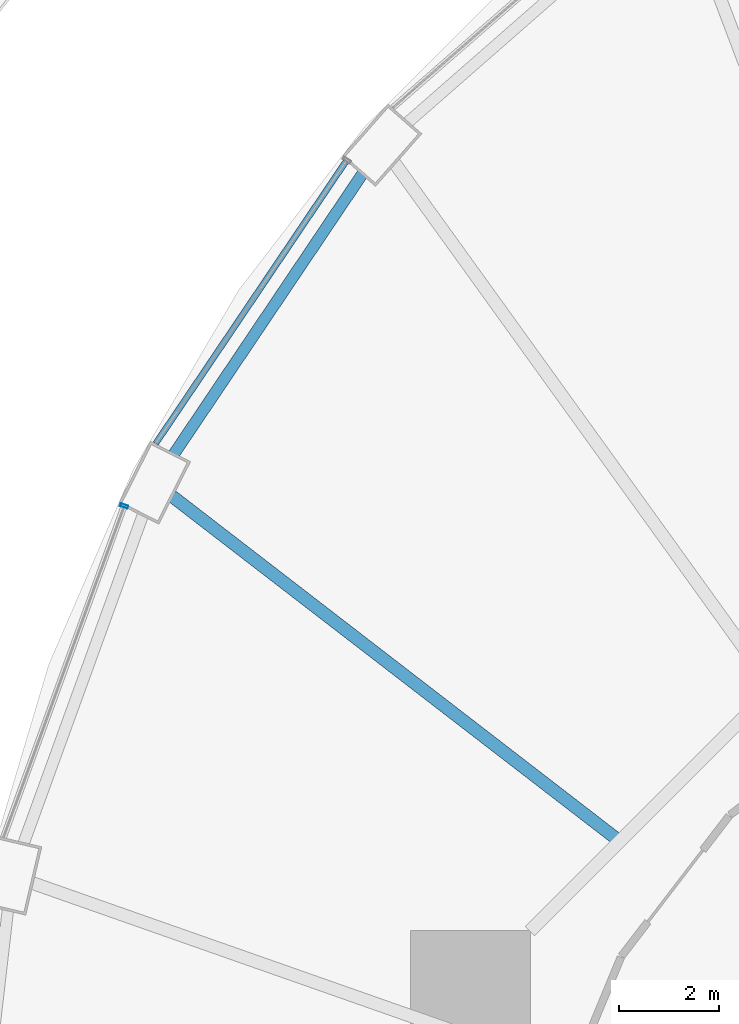
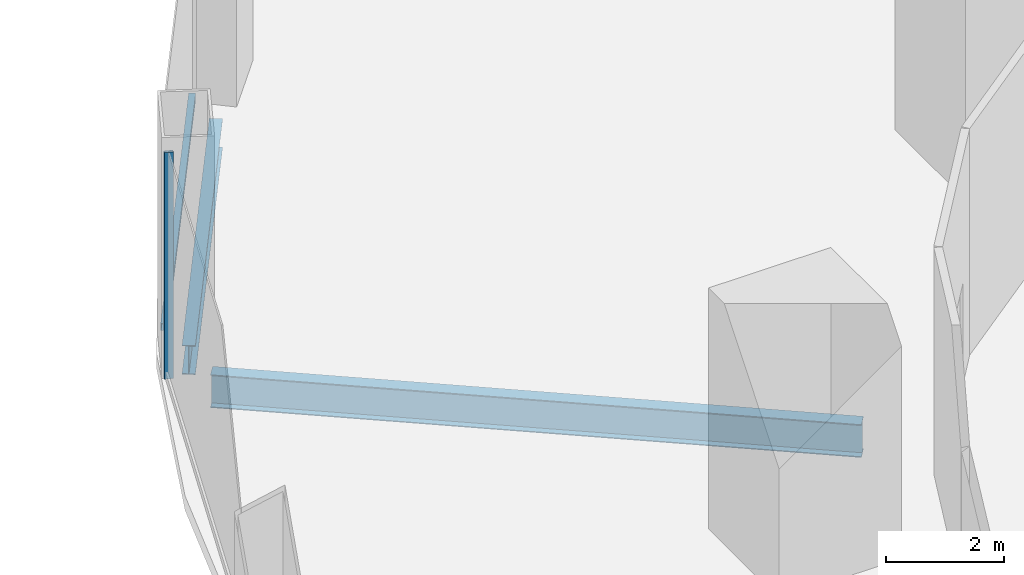
# One storey, part 21 of 47: 2 beams, 2 members, 2 elements without a shape of their own.
"""IFC4 building model written with IfcOpenShell, lengths in metres."""

from ifc_helpers import new_model, si_unit, direction, frame, origin, origin_2d, place, context, subcontext, project, spatial, hollow_rectangle, i_section, extrude, material, layer, layer_set, material_profile, profile_set, type_object, element, aggregate, save


model = new_model("IFC4")

# Units and contexts
model_context = context("Model", 3, precision=1e-05, world=origin(), true_north=direction((0.0, 1.0)))
body_context = subcontext(model_context, "Body", "Model", "MODEL_VIEW")
ifc_project = project(units=[si_unit("LENGTHUNIT", "METRE"), si_unit("AREAUNIT", "SQUARE_METRE"), si_unit("VOLUMEUNIT", "CUBIC_METRE"), si_unit("PLANEANGLEUNIT", "RADIAN"), si_unit("MASSUNIT", "GRAM", prefix="KILO")], contexts=[model_context])

# Site, building, storey
site_placement = place(None, origin())
site = spatial("IfcSite", under=ifc_project, at=site_placement, CompositionType="ELEMENT")
building_placement = place(site_placement, origin())
building = spatial("IfcBuilding", under=site, at=building_placement, Name="Nagisa Residences", CompositionType="ELEMENT")
storey_placement = place(building_placement, frame((0.0, 0.0, 7.0)))
storey = spatial("IfcBuildingStorey", under=building, at=storey_placement, Name="L01", CompositionType="ELEMENT", Elevation=7.0)

# Curtain wall, member
ifc_material_1 = material(Name="Stainless steel curtain wall system", Category="steel")
ifc_layer = layer(ifc_material_1, 0.159912109375)
ifc_layer_set = layer_set([ifc_layer], Name="CW6 CURTAIN WALL")
curtain_wall_type = type_object("IfcCurtainWallType", Name="CW6 CURTAIN WALL", PredefinedType="NOTDEFINED", material=ifc_layer_set)
curtain_wall_1_placement = place(storey_placement, origin())
curtain_wall_1 = element("IfcCurtainWall", 1, at=curtain_wall_1_placement, inside=storey, type_object=curtain_wall_type, Name="cw:CW6:L01:20", PredefinedType="NOTDEFINED")
ifc_material_2 = material(Name="Stainless steel", Category="steel")
ifc_material_profile_1 = material_profile(ifc_material_2, hollow_rectangle(XDim=0.159912109375, YDim=0.06005859375, WallThickness=0.006103515625, at=origin_2d()), Name="CW6 MULLION 160x60")
ifc_profile_set_1 = profile_set([ifc_material_profile_1], Name="Stainless steel")
member_type_1 = type_object("IfcMemberType", Name="CW6 MULLION 160x60", PredefinedType="MULLION", material=ifc_profile_set_1)
member_1_placement = place(storey_placement, frame((-21.689208984375, 15.78662109375, 0.0), z_axis=(0.0, 0.0, 1.0), x_axis=(0.939681861718, -0.342049702176, 0.0)))
member_1 = element("IfcMember", 2, at=member_1_placement, type_object=member_type_1, Name="CW6 mullion", PredefinedType="MULLION", context=body_context, shape_type="SweptSolid", body=[
    extrude(hollow_rectangle(XDim=0.159912109375, YDim=0.06005859375, WallThickness=0.006103515625, at=origin_2d()), origin(), (0.0, 0.0, 1.0), 4.699951171875),
])
aggregate(curtain_wall_1, [member_1])

curtain_wall_2_placement = place(storey_placement, origin())
curtain_wall_2 = element("IfcCurtainWall", 3, at=curtain_wall_2_placement, inside=storey, type_object=curtain_wall_type, Name="cw:CW6:L01:18", PredefinedType="NOTDEFINED")
ifc_material_3 = material(Name="Stainless steel", Category="steel")
ifc_material_profile_2 = material_profile(ifc_material_3, hollow_rectangle(XDim=0.1201171875, YDim=0.14990234375, WallThickness=0.008056640625, at=origin_2d()), Name="CW6 TRANSOM 120x150")
ifc_profile_set_2 = profile_set([ifc_material_profile_2], Name="Stainless steel")
member_type_2 = type_object("IfcMemberType", Name="CW6 TRANSOM 120x150", PredefinedType="USERDEFINED", material=ifc_profile_set_2)
member_2_placement = place(storey_placement, frame((-17.231201171875, 22.70947265625, 0.074951171875), z_axis=(-0.559080645991, -0.829113280124, 0.0), x_axis=(0.829113280124, -0.559080645991, 0.0)))
member_2 = element("IfcMember", 4, at=member_2_placement, type_object=member_type_2, Name="CW6 transom", ObjectType="TRANSOM", PredefinedType="USERDEFINED", context=body_context, shape_type="SweptSolid", body=[
    extrude(hollow_rectangle(XDim=0.1201171875, YDim=0.14990234375, WallThickness=0.008056640625, at=origin_2d()), origin(), (0.0, 0.0, 1.0), 6.84326171875),
])
aggregate(curtain_wall_2, [member_2])

# Beams
ifc_material_4 = material(Name="Steel ASTM A572 Gr 50", Category="steel")
ifc_material_profile_3 = material_profile(ifc_material_4, i_section(OverallWidth=0.22802734375, OverallDepth=0.60302734375, WebThickness=0.010498046875, FlangeThickness=0.014892578125, at=origin_2d()), Name="W610x101")
ifc_profile_set_3 = profile_set([ifc_material_profile_3], Name="Steel ASTM A572 Gr 50")
beam_type_1 = type_object("IfcBeamType", Name="Perimeter ring beam W610x101", PredefinedType="BEAM", material=ifc_profile_set_3)
beam_1_placement = place(storey_placement, frame((-16.935302734375, 22.411865234375, -0.6015625), z_axis=(-0.558296806041, -0.829641293792, 0.0), x_axis=(0.829641293792, -0.558296806041, 0.0)))
element("IfcBeam", 5, at=beam_1_placement, inside=storey, type_object=beam_type_1, Name="beam:L01:pb10", PredefinedType="BEAM", context=body_context, shape_type="SweptSolid", body=[
    extrude(i_section(OverallWidth=0.22802734375, OverallDepth=0.60302734375, WebThickness=0.010498046875, FlangeThickness=0.014892578125, at=origin_2d()), origin(), (0.0, 0.0, 1.0), 6.74169921875),
])
ifc_material_5 = material(Name="Steel ASTM A572 Gr 50", Category="steel")
ifc_material_profile_4 = material_profile(ifc_material_5, i_section(OverallWidth=0.25390625, OverallDepth=0.68408203125, WebThickness=0.012451171875, FlangeThickness=0.018798828125, at=origin_2d()), Name="W690x140")
ifc_profile_set_4 = profile_set([ifc_material_profile_4], Name="Steel ASTM A572 Gr 50")
beam_type_2 = type_object("IfcBeamType", Name="Radial beam W690x140", PredefinedType="BEAM", material=ifc_profile_set_4)
beam_2_placement = place(storey_placement, frame((-20.73486328125, 15.982666015625, -0.64208984375), z_axis=(0.792016146736, -0.610500141941, 0.0), x_axis=(0.610500141941, 0.792016146736, 0.0)))
element("IfcBeam", 6, at=beam_2_placement, inside=storey, type_object=beam_type_2, Name="beam:L01:rb11", PredefinedType="BEAM", context=body_context, shape_type="SweptSolid", body=[
    extrude(i_section(OverallWidth=0.25390625, OverallDepth=0.68408203125, WebThickness=0.012451171875, FlangeThickness=0.018798828125, at=origin_2d()), origin(), (0.0, 0.0, 1.0), 11.160888671875),
])

save(model, "model.ifc")
